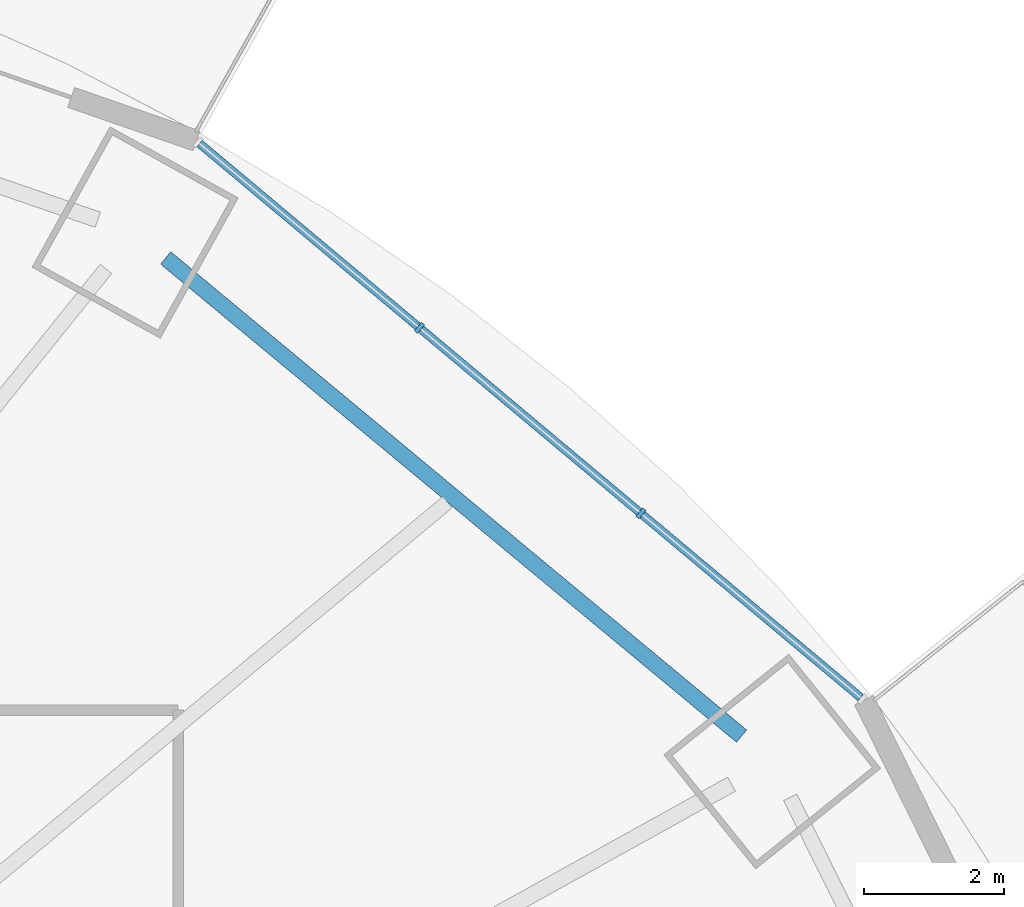
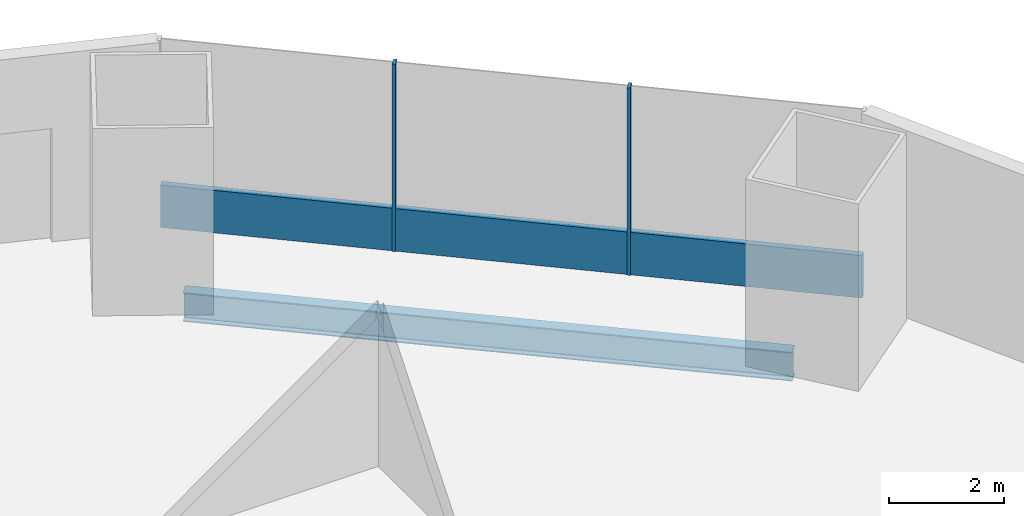
# One storey, part 10 of 22: 3 members, 1 beam, 1 element without a shape of its own.
"""IFC4 building model written with IfcOpenShell, lengths in metres."""

from ifc_helpers import new_model, si_unit, direction, frame, origin, origin_2d, place, context, subcontext, project, spatial, rectangle, i_section, extrude, material, material_profile, profile_set, type_object, element, aggregate, save


model = new_model("IFC4")

# Units and contexts
model_context = context("Model", 3, precision=1e-05, world=origin(), true_north=direction((0.0, 1.0)))
body_context = subcontext(model_context, "Body", "Model", "MODEL_VIEW")
ifc_project = project(units=[si_unit("LENGTHUNIT", "METRE"), si_unit("AREAUNIT", "SQUARE_METRE"), si_unit("VOLUMEUNIT", "CUBIC_METRE"), si_unit("PLANEANGLEUNIT", "RADIAN"), si_unit("MASSUNIT", "GRAM", prefix="KILO")], contexts=[model_context])

# Site, building, storey
site_placement = place(None, origin())
site = spatial("IfcSite", under=ifc_project, at=site_placement, CompositionType="ELEMENT")
building_placement = place(site_placement, origin())
building = spatial("IfcBuilding", under=site, at=building_placement, Name="Marenthal Gate Tower", CompositionType="ELEMENT")
storey_placement = place(building_placement, frame((0.0, 0.0, 95.25)))
storey = spatial("IfcBuildingStorey", under=building, at=storey_placement, Name="L19", CompositionType="ELEMENT", Elevation=95.25)

# Curtain wall, members
ifc_material_1 = material(Name="Aluminium and glass", Category="aluminium")
curtain_wall_type = type_object("IfcCurtainWallType", Name="Curtain wall typical low", PredefinedType="NOTDEFINED", material=ifc_material_1)
curtain_wall_placement = place(storey_placement, origin())
curtain_wall = element("IfcCurtainWall", 1, at=curtain_wall_placement, inside=storey, type_object=curtain_wall_type, Name="Curtain wall L19 bay 2", PredefinedType="NOTDEFINED")
ifc_material_2 = material(Name="Aluminium", Category="aluminium")
ifc_material_profile_1 = material_profile(ifc_material_2, rectangle(XDim=0.159912109375, YDim=0.06005859375, at=origin_2d()), Name="60x160 aluminium mullion")
ifc_profile_set_1 = profile_set([ifc_material_profile_1], Name="Aluminium")
member_type_1 = type_object("IfcMemberType", Name="Mullion 60x160 typical low", PredefinedType="MULLION", material=ifc_profile_set_1)
member_1_placement = place(storey_placement, frame((25.62939453125, 18.8193359375, 0.0), z_axis=(0.0, 0.0, 1.0), x_axis=(-0.642307658805, -0.766446913648, 0.0)))
member_1 = element("IfcMember", 2, at=member_1_placement, type_object=member_type_1, Name="Mullion L19 bay 2.2", PredefinedType="MULLION", context=body_context, shape_type="SweptSolid", body=[
    extrude(rectangle(XDim=0.159912109375, YDim=0.06005859375, at=origin_2d()), origin(), (0.0, 0.0, 1.0), 3.969970703125),
])
member_2_placement = place(storey_placement, frame((22.45654296875, 21.478271484375, 0.0), z_axis=(0.0, 0.0, 1.0), x_axis=(-0.642307658805, -0.766446913648, 0.0)))
member_2 = element("IfcMember", 3, at=member_2_placement, type_object=member_type_1, Name="Mullion L19 bay 2.3", PredefinedType="MULLION", context=body_context, shape_type="SweptSolid", body=[
    extrude(rectangle(XDim=0.159912109375, YDim=0.06005859375, at=origin_2d()), origin(), (0.0, 0.0, 1.0), 3.969970703125),
])
ifc_material_3 = material(Name="Aluminium", Category="aluminium")
ifc_material_profile_2 = material_profile(ifc_material_3, rectangle(XDim=0.1201171875, YDim=0.89990234375, at=origin_2d()), Name="120x900 aluminium transom")
ifc_profile_set_2 = profile_set([ifc_material_profile_2], Name="Aluminium")
member_type_2 = type_object("IfcMemberType", Name="Transom 120x900 typical low", PredefinedType="USERDEFINED", material=ifc_profile_set_2)
member_3_placement = place(storey_placement, frame((28.779296875, 16.179443359375, 0.449951171875), z_axis=(-0.766442158037, 0.642313333494, 0.0), x_axis=(-0.642313333494, -0.766442158037, 0.0)))
member_3 = element("IfcMember", 4, at=member_3_placement, type_object=member_type_2, Name="Transom L19 bay 2", ObjectType="TRANSOM", PredefinedType="USERDEFINED", context=body_context, shape_type="SweptSolid", body=[
    extrude(rectangle(XDim=0.1201171875, YDim=0.89990234375, at=origin_2d()), origin(), (0.0, 0.0, 1.0), 12.359619140625),
])
aggregate(curtain_wall, [member_1, member_2, member_3])

# Beam
ifc_material_4 = material(Name="Steel S355", Category="steel")
ifc_material_profile_3 = material_profile(ifc_material_4, i_section(OverallWidth=0.22900390625, OverallDepth=0.612060546875, WebThickness=0.011962890625, FlangeThickness=0.01953125, FilletRadius=0.0126953125, at=origin_2d()), Name="W610X125")
ifc_profile_set_3 = profile_set([ifc_material_profile_3], Name="Steel S355")
beam_type = type_object("IfcBeamType", Name="W610X125 beam", PredefinedType="BEAM", material=ifc_profile_set_3)
beam_placement = place(storey_placement, frame((27.072021484375, 15.628173828125, -0.486083984375), z_axis=(-0.769369356562, 0.638804190017, 0.0), x_axis=(-0.638804190017, -0.769369356562, 0.0)))
element("IfcBeam", 5, at=beam_placement, inside=storey, type_object=beam_type, Name="BM-L19-42", PredefinedType="BEAM", context=body_context, shape_type="SweptSolid", body=[
    extrude(i_section(OverallWidth=0.22900390625, OverallDepth=0.612060546875, WebThickness=0.011962890625, FlangeThickness=0.01953125, FilletRadius=0.0126953125, at=origin_2d()), origin(), (0.0, 0.0, 1.0), 10.7255859375),
])

save(model, "model.ifc")
